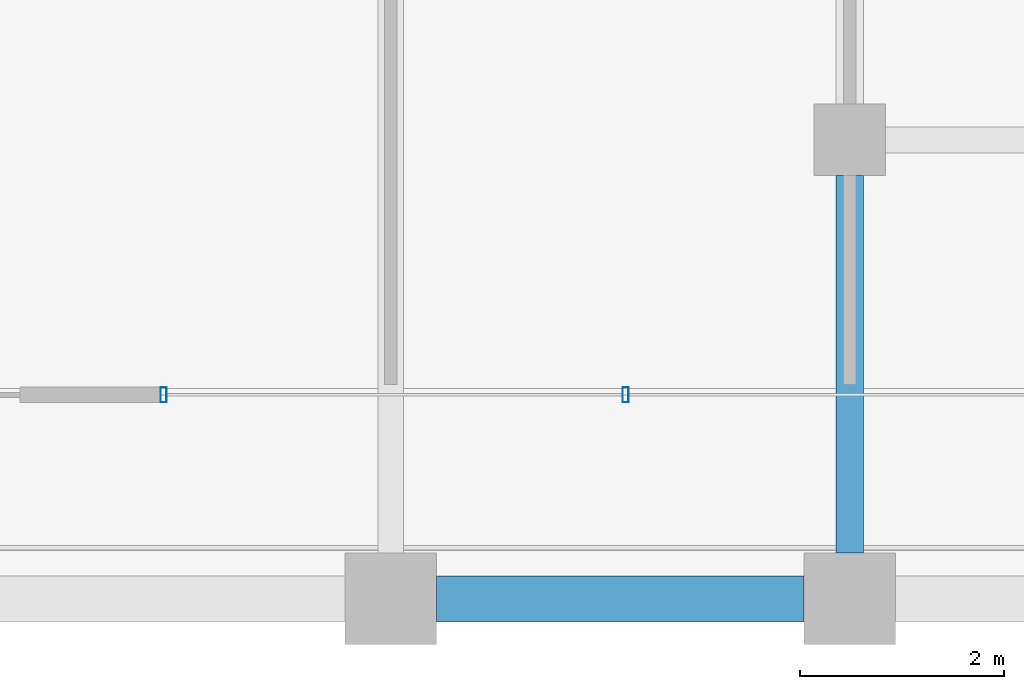
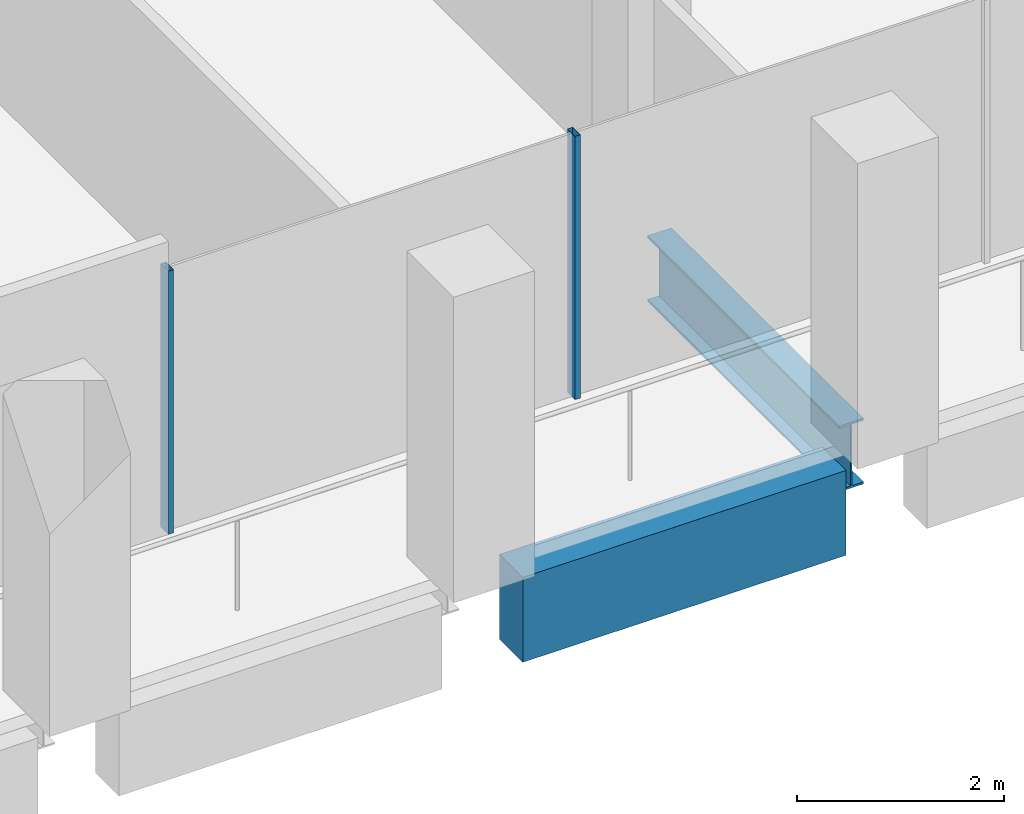
# One storey, part 9 of 40: 2 beams, 2 members, 1 element without a shape of its own.
"""IFC4 building model written with IfcOpenShell, lengths in metres."""

from ifc_helpers import new_model, si_unit, direction, frame, origin, origin_2d, place, context, subcontext, project, spatial, rectangle, hollow_rectangle, i_section, extrude, material, material_profile, profile_set, type_object, element, aggregate, save


model = new_model("IFC4")

# Units and contexts
model_context = context("Model", 3, precision=1e-05, world=origin(), true_north=direction((0.0, 1.0)))
body_context = subcontext(model_context, "Body", "Model", "MODEL_VIEW")
ifc_project = project(units=[si_unit("LENGTHUNIT", "METRE"), si_unit("AREAUNIT", "SQUARE_METRE"), si_unit("VOLUMEUNIT", "CUBIC_METRE"), si_unit("PLANEANGLEUNIT", "RADIAN"), si_unit("MASSUNIT", "GRAM", prefix="KILO")], contexts=[model_context])

# Site, building, storey
site_placement = place(None, origin())
site = spatial("IfcSite", under=ifc_project, at=site_placement, CompositionType="ELEMENT")
building_placement = place(site_placement, origin())
building = spatial("IfcBuilding", under=site, at=building_placement, Name="Altepetl Exchange Towers", CompositionType="ELEMENT")
storey_placement = place(building_placement, frame((0.0, 0.0, 165.39990234375)))
storey = spatial("IfcBuildingStorey", under=building, at=storey_placement, Name="L41", CompositionType="ELEMENT", Elevation=165.39990234375)

# Beam
ifc_material_1 = material(Name="Steel S355", Category="steel")
ifc_material_profile_1 = material_profile(ifc_material_1, i_section(OverallWidth=0.26806640625, OverallDepth=0.77392578125, WebThickness=0.015380859375, FlangeThickness=0.025390625, at=origin_2d()), Name="W30X132")
ifc_profile_set_1 = profile_set([ifc_material_profile_1], Name="Steel S355")
beam_type_1 = type_object("IfcBeamType", Name="Girder W30X132", PredefinedType="BEAM", material=ifc_profile_set_1)
beam_1_placement = place(storey_placement, frame((58.5, 31.14990234375, -0.536865234375), z_axis=(0.0, -1.0, 0.0), x_axis=(1.0, 0.0, 0.0)))
element("IfcBeam", 1, at=beam_1_placement, inside=storey, type_object=beam_type_1, Name="gd:A:L41:005", PredefinedType="BEAM", context=body_context, shape_type="SweptSolid", body=[
    extrude(i_section(OverallWidth=0.26806640625, OverallDepth=0.77392578125, WebThickness=0.015380859375, FlangeThickness=0.025390625, at=origin_2d()), origin(), (0.0, 0.0, 1.0), 3.699951171875),
])

# Curtain wall, members
ifc_material_2 = material(Name="Aluminium 6063-T6 glazing", Category="aluminium")
curtain_wall_type = type_object("IfcCurtainWallType", Name="Loggia glazing system", PredefinedType="NOTDEFINED", material=ifc_material_2)
curtain_wall_placement = place(storey_placement, origin())
curtain_wall = element("IfcCurtainWall", 2, at=curtain_wall_placement, inside=storey, type_object=curtain_wall_type, Name="CW1 run", PredefinedType="NOTDEFINED")
ifc_material_3 = material(Name="Aluminium 6063-T6", Category="aluminium")
ifc_material_profile_2 = material_profile(ifc_material_3, hollow_rectangle(XDim=0.06005859375, YDim=0.14990234375, WallThickness=0.0029296875, at=origin_2d()), Name="Mullion 60x150 aluminium")
ifc_profile_set_2 = profile_set([ifc_material_profile_2], Name="Aluminium 6063-T6")
member_type = type_object("IfcMemberType", Name="Mullion 60x150 aluminium", PredefinedType="MULLION", material=ifc_profile_set_2)
member_1_placement = place(storey_placement, frame((51.77294921875, 29.0, 0.0)))
member_1 = element("IfcMember", 3, at=member_1_placement, type_object=member_type, Name="MU1 mullion", PredefinedType="MULLION", context=body_context, shape_type="SweptSolid", body=[
    extrude(hollow_rectangle(XDim=0.06005859375, YDim=0.14990234375, WallThickness=0.0029296875, at=origin_2d()), origin(), (0.0, 0.0, 1.0), 3.10009765625),
])
member_2_placement = place(storey_placement, frame((56.303466796875, 29.0, 0.0)))
member_2 = element("IfcMember", 4, at=member_2_placement, type_object=member_type, Name="MU1 mullion", PredefinedType="MULLION", context=body_context, shape_type="SweptSolid", body=[
    extrude(hollow_rectangle(XDim=0.06005859375, YDim=0.14990234375, WallThickness=0.0029296875, at=origin_2d()), origin(), (0.0, 0.0, 1.0), 3.10009765625),
])
aggregate(curtain_wall, [member_1, member_2])

# Beam
ifc_material_4 = material(Name="Concrete C50/60 precast with cantera blanca facing", Category="concrete")
ifc_material_profile_3 = material_profile(ifc_material_4, rectangle(XDim=0.449951171875, YDim=1.0, at=origin_2d()), Name="450 x 1000")
ifc_profile_set_3 = profile_set([ifc_material_profile_3], Name="Concrete C50/60 precast with cantera blanca facing")
beam_type_2 = type_object("IfcBeamType", Name="Spandrel beam 450x1000 cantera blanca", PredefinedType="SPANDREL", material=ifc_profile_set_3)
beam_2_placement = place(storey_placement, frame((54.449951171875, 27.0, -0.64990234375), z_axis=(1.0, 0.0, 0.0), x_axis=(0.0, 1.0, 0.0)))
element("IfcBeam", 5, at=beam_2_placement, inside=storey, type_object=beam_type_2, Name="sp:A:L41:005", PredefinedType="SPANDREL", context=body_context, shape_type="SweptSolid", body=[
    extrude(rectangle(XDim=0.449951171875, YDim=1.0, at=origin_2d()), origin(), (0.0, 0.0, 1.0), 3.60009765625),
])

save(model, "model.ifc")
